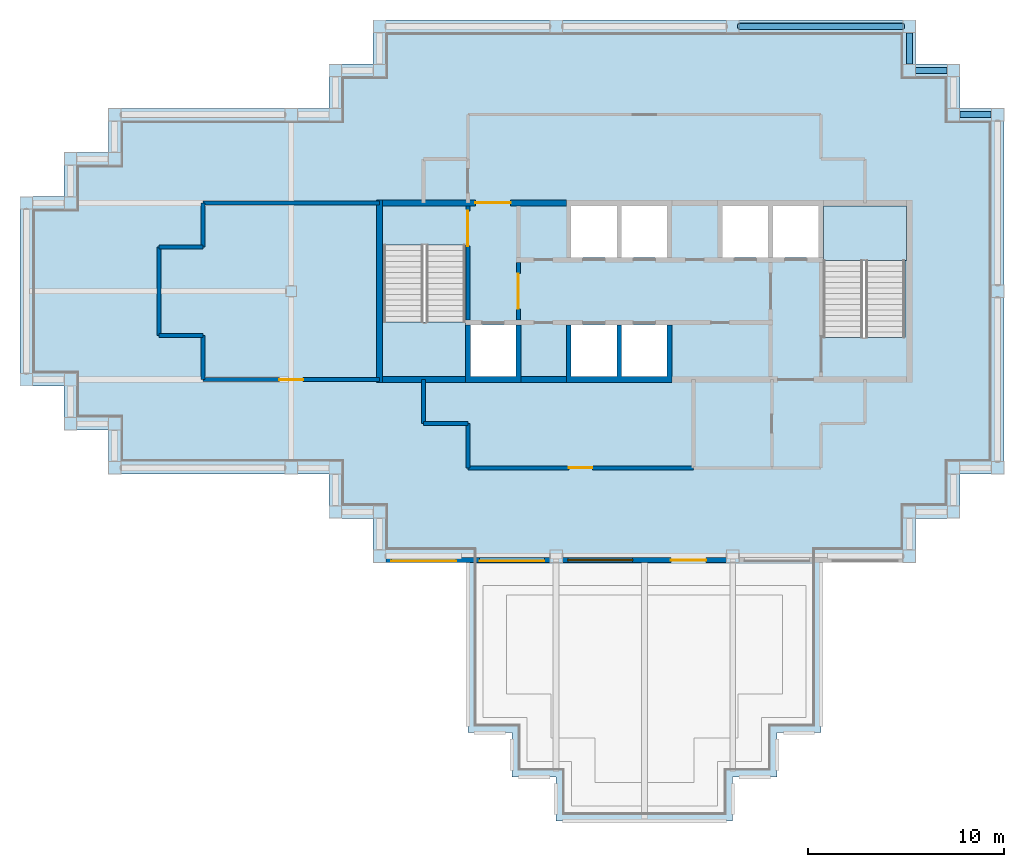
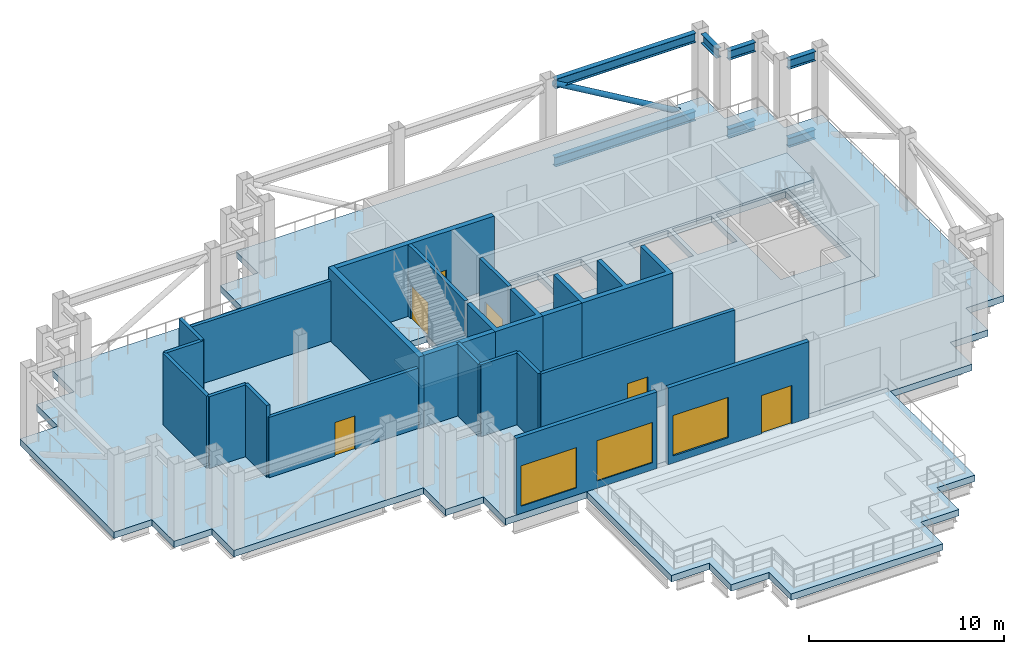
# One storey, part 2 of 10: 21 walls, 7 beams, 6 doors, 5 slabs, 3 windows, 1 member, 9 openings, 2 elements without a shape of their own.
"""IFC4 building model written with IfcOpenShell, lengths in metres."""

from ifc_helpers import new_model, si_unit, direction, frame, frame_2d, origin, origin_2d, place, context, subcontext, project, spatial, polyline, rectangle, hollow_circle, i_section, outline, extrude, material, layer, layer_set, material_profile, profile_set, type_object, element, fill, aggregate, save


model = new_model("IFC4")

# Units and contexts
model_context = context("Model", 3, precision=1e-05, world=origin(), true_north=direction((0.0, 1.0)))
body_context = subcontext(model_context, "Body", "Model", "MODEL_VIEW")
ifc_project = project(units=[si_unit("LENGTHUNIT", "METRE"), si_unit("AREAUNIT", "SQUARE_METRE"), si_unit("VOLUMEUNIT", "CUBIC_METRE"), si_unit("PLANEANGLEUNIT", "RADIAN"), si_unit("MASSUNIT", "GRAM", prefix="KILO")], contexts=[model_context])

# Site, building, storey
site_placement = place(None, origin())
site = spatial("IfcSite", under=ifc_project, at=site_placement, CompositionType="ELEMENT")
building_placement = place(site_placement, origin())
building = spatial("IfcBuilding", under=site, at=building_placement, Name="Caravel Reach Hotel and Residences", CompositionType="ELEMENT")
storey_placement = place(building_placement, frame((0.0, 0.0, 233.10009765625)))
storey = spatial("IfcBuildingStorey", under=building, at=storey_placement, Name="L59", CompositionType="ELEMENT", Elevation=233.10009765625)

# Beams
ifc_material_1 = material(Name="Structural steel Q355B", Category="steel")
ifc_material_profile_1 = material_profile(ifc_material_1, i_section(OverallWidth=0.300048828125, OverallDepth=0.587890625, WebThickness=0.011962890625, FlangeThickness=0.02001953125, FilletRadius=0.012939453125, at=origin_2d()), Name="HM 588x300x12x20")
ifc_profile_set_1 = profile_set([ifc_material_profile_1], Name="Structural steel Q355B")
beam_type = type_object("IfcBeamType", Name="Beam HM 588x300x12x20", PredefinedType="BEAM", material=ifc_profile_set_1)
for number, where, z_axis, x_axis, name in (
    (1, (49.175048828125, 36.0, -0.694091796875), (-1.0, 0.0, 0.0), (0.0, -1.0, 0.0), "Belt truss BT-L59 bottom chord"),
    (2, (49.175048828125, 36.0, 4.205810546875), (-1.0, 0.0, 0.0), (0.0, -1.0, 0.0), "Belt truss BT-L59 top chord"),
    (3, (46.925048828125, 38.25, -0.694091796875), (-1.0, 0.0, 0.0), (0.0, -1.0, 0.0), "Belt truss BT-L59 bottom chord"),
    (4, (46.925048828125, 38.25, 4.205810546875), (-1.0, 0.0, 0.0), (0.0, -1.0, 0.0), "Belt truss BT-L59 top chord"),
    (5, (45.0, 38.574951171875, 4.205810546875), (0.0, 1.0, 0.0), (-1.0, 0.0, 0.0), "Belt truss BT-L59 top chord"),
):
    element("IfcBeam", number, at=place(storey_placement, frame(where, z_axis=z_axis, x_axis=x_axis)), inside=storey, type_object=beam_type, Name=name, PredefinedType="BEAM", context=body_context, shape_type="SweptSolid", body=[
        extrude(i_section(OverallWidth=0.300048828125, OverallDepth=0.587890625, WebThickness=0.011962890625, FlangeThickness=0.02001953125, FilletRadius=0.012939453125, at=origin_2d()), origin(), (0.0, 0.0, 1.0), 1.60009765625),
    ])
for number, where, z_axis, x_axis, name in (
    (6, (44.675048828125, 40.5, -0.694091796875), (-1.0, 0.0, 0.0), (0.0, -1.0, 0.0), "Belt truss BT-L59 bottom chord"),
    (7, (44.675048828125, 40.5, 4.205810546875), (-1.0, 0.0, 0.0), (0.0, -1.0, 0.0), "Belt truss BT-L59 top chord"),
):
    element("IfcBeam", number, at=place(storey_placement, frame(where, z_axis=z_axis, x_axis=x_axis)), inside=storey, type_object=beam_type, Name=name, PredefinedType="BEAM", context=body_context, shape_type="SweptSolid", body=[
        extrude(i_section(OverallWidth=0.300048828125, OverallDepth=0.587890625, WebThickness=0.011962890625, FlangeThickness=0.02001953125, FilletRadius=0.012939453125, at=origin_2d()), origin(), (0.0, 0.0, 1.0), 8.35009765625),
    ])

# Member
ifc_material_2 = material(Name="Structural steel Q390B", Category="steel")
ifc_material_profile_2 = material_profile(ifc_material_2, hollow_circle(Radius=0.16259765625, WallThickness=0.011962890625, at=origin_2d()), Name="CHS 325x12")
ifc_profile_set_2 = profile_set([ifc_material_profile_2], Name="Structural steel Q390B")
member_type = type_object("IfcMemberType", Name="Brace CHS 325x12", PredefinedType="BRACE", material=ifc_profile_set_2)
member_placement = place(storey_placement, frame((44.675048828125, 40.5, -0.694091796875), z_axis=(-0.862471778893, 0.0, 0.506105157663), x_axis=(0.0, -1.0, 0.0)))
element("IfcMember", 8, at=member_placement, inside=storey, type_object=member_type, Name="Belt truss BT-L59 diagonal", PredefinedType="BRACE", context=body_context, shape_type="SweptSolid", body=[
    extrude(hollow_circle(Radius=0.16259765625, WallThickness=0.011962890625, at=origin_2d()), origin(), (0.0, 0.0, 1.0), 9.681640625),
])

# Slab
ifc_material_3 = material(Name="Concrete C40", Category="concrete")
ifc_layer_1 = layer(ifc_material_3, 0.39990234375)
ifc_layer_set_1 = layer_set([ifc_layer_1], Name="Core floor slab 400 mm")
slab_type_1 = type_object("IfcSlabType", Name="Core floor slab 400 mm", PredefinedType="FLOOR", material=ifc_layer_set_1)
slab_1_placement = place(storey_placement, frame((0.0, 0.0, -0.400146484375)))
element("IfcSlab", 9, at=slab_1_placement, inside=storey, type_object=slab_type_1, Name="L59 core floor", PredefinedType="FLOOR", context=body_context, shape_type="SweptSolid", body=[
    extrude(outline(polyline([(18.0, 31.5), (45.0, 31.5), (45.0, 22.5), (18.0, 22.5), (18.0, 31.5)]), holes=[polyline([(22.625, 25.27490234375), (22.625, 22.64990234375), (24.9462890625, 22.64990234375), (24.9462890625, 25.27490234375), (22.625, 25.27490234375)]), polyline([(27.767822265625, 25.27490234375), (27.767822265625, 22.64990234375), (30.08935546875, 22.64990234375), (30.08935546875, 25.27490234375), (27.767822265625, 25.27490234375)]), polyline([(30.33935546875, 25.27490234375), (30.33935546875, 22.64990234375), (32.66064453125, 22.64990234375), (32.66064453125, 25.27490234375), (30.33935546875, 25.27490234375)]), polyline([(22.375, 22.64990234375), (22.375, 29.35009765625), (18.22509765625, 29.35009765625), (18.22509765625, 22.64990234375), (22.375, 22.64990234375)]), polyline([(40.625, 31.35009765625), (40.625, 24.64990234375), (44.77490234375, 24.64990234375), (44.77490234375, 31.35009765625), (40.625, 31.35009765625)]), polyline([(27.767822265625, 31.35009765625), (27.767822265625, 28.72509765625), (30.08935546875, 28.72509765625), (30.08935546875, 31.35009765625), (27.767822265625, 31.35009765625)]), polyline([(30.33935546875, 31.35009765625), (30.33935546875, 28.72509765625), (32.66064453125, 28.72509765625), (32.66064453125, 31.35009765625), (30.33935546875, 31.35009765625)]), polyline([(37.8037109375, 31.35009765625), (35.482177734375, 31.35009765625), (35.482177734375, 28.72509765625), (37.8037109375, 28.72509765625), (37.8037109375, 31.35009765625)]), polyline([(40.375, 31.35009765625), (38.0537109375, 31.35009765625), (38.0537109375, 28.72509765625), (40.375, 28.72509765625), (40.375, 31.35009765625)])]), origin(), (0.0, 0.0, 1.0), 0.400146484375),
])

# Stair, slab
ifc_material_4 = material(Name="Concrete C40", Category="concrete")
stair_type = type_object("IfcStairType", Name="Core stair", PredefinedType="HALF_TURN_STAIR", material=ifc_material_4)
stair_1_placement = place(storey_placement, origin())
stair_1 = element("IfcStair", 10, at=stair_1_placement, inside=storey, type_object=stair_type, Name="L59 Exit stair A", PredefinedType="HALF_TURN_STAIR")
ifc_material_5 = material(Name="Concrete C40", Category="concrete")
ifc_layer_2 = layer(ifc_material_5, 0.199951171875)
ifc_layer_set_2 = layer_set([ifc_layer_2], Name="Core stair landing")
slab_type_2 = type_object("IfcSlabType", Name="Core stair landing", PredefinedType="LANDING", material=ifc_layer_set_2)
slab_2_placement = place(storey_placement, frame((0.0, 0.0, 2.199951171875)))
slab_2 = element("IfcSlab", 11, at=slab_2_placement, type_object=slab_type_2, Name="ST-A landing 1", PredefinedType="LANDING", context=body_context, shape_type="SweptSolid", body=[
    extrude(outline(polyline([(18.14990234375, 25.429931640625), (18.14990234375, 22.64990234375), (22.375, 22.64990234375), (22.375, 25.429931640625), (18.14990234375, 25.429931640625)])), origin(), (0.0, 0.0, 1.0), 0.199951171875),
])
aggregate(stair_1, [slab_2])

stair_2_placement = place(storey_placement, origin())
stair_2 = element("IfcStair", 12, at=stair_2_placement, inside=storey, type_object=stair_type, Name="L59 Exit stair B", PredefinedType="HALF_TURN_STAIR")
slab_3_placement = place(storey_placement, frame((0.0, 0.0, 2.199951171875)))
slab_3 = element("IfcSlab", 13, at=slab_3_placement, type_object=slab_type_2, Name="ST-B landing 1", PredefinedType="LANDING", context=body_context, shape_type="SweptSolid", body=[
    extrude(outline(polyline([(44.85009765625, 28.570068359375), (44.85009765625, 31.35009765625), (40.625, 31.35009765625), (40.625, 28.570068359375), (44.85009765625, 28.570068359375)])), origin(), (0.0, 0.0, 1.0), 0.199951171875),
])
aggregate(stair_2, [slab_3])

# Slabs
ifc_material_6 = material(Name="Concrete C40 post-tensioned", Category="concrete")
ifc_layer_3 = layer(ifc_material_6, 0.39990234375)
ifc_layer_set_3 = layer_set([ifc_layer_3], Name="Floor slab 400")
slab_type_3 = type_object("IfcSlabType", Name="Floor slab 400", PredefinedType="FLOOR", material=ifc_layer_set_3)
slab_4_placement = place(storey_placement, frame((0.0, 0.0, -0.400146484375)))
element("IfcSlab", 14, at=slab_4_placement, inside=storey, type_object=slab_type_3, Name="S4 slab L59", PredefinedType="FLOOR", context=body_context, shape_type="SweptSolid", body=[
    extrude(outline(polyline([(22.5, 13.175048828125), (17.675048828125, 13.175048828125), (17.675048828125, 15.425048828125), (15.425048828125, 15.425048828125), (15.425048828125, 17.675048828125), (4.175048828125, 17.675048828125), (4.175048828125, 19.925048828125), (1.925048828125, 19.925048828125), (1.925048828125, 22.175048828125), (-0.324951171875, 22.175048828125), (-0.324951171875, 31.824951171875), (1.925048828125, 31.824951171875), (1.925048828125, 34.074951171875), (4.175048828125, 34.074951171875), (4.175048828125, 36.324951171875), (15.425048828125, 36.324951171875), (15.425048828125, 38.574951171875), (17.675048828125, 38.574951171875), (17.675048828125, 40.824951171875), (45.324951171875, 40.824951171875), (45.324951171875, 38.574951171875), (47.574951171875, 38.574951171875), (47.574951171875, 36.324951171875), (49.824951171875, 36.324951171875), (49.824951171875, 17.675048828125), (47.574951171875, 17.675048828125), (47.574951171875, 15.425048828125), (45.324951171875, 15.425048828125), (45.324951171875, 13.175048828125), (40.5, 13.175048828125), (40.5, 13.5), (22.5, 13.5), (22.5, 13.175048828125)]), holes=[polyline([(45.0, 31.5), (18.0, 31.5), (18.0, 22.5), (45.0, 22.5), (45.0, 31.5)])]), origin(), (0.0, 0.0, 1.0), 0.400146484375),
])
ifc_material_7 = material(Name="Concrete C40", Category="concrete")
ifc_layer_4 = layer(ifc_material_7, 0.39990234375)
ifc_layer_set_4 = layer_set([ifc_layer_4], Name="Roof terrace slab 400")
slab_type_4 = type_object("IfcSlabType", Name="Roof terrace slab 400", PredefinedType="ROOF", material=ifc_layer_set_4)
slab_5_placement = place(storey_placement, frame((0.0, 0.0, -0.400146484375)))
element("IfcSlab", 15, at=slab_5_placement, inside=storey, type_object=slab_type_4, Name="terrace slab S", PredefinedType="ROOF", context=body_context, shape_type="SweptSolid", body=[
    extrude(outline(polyline([(40.5, 4.5), (38.25, 4.5), (38.25, 2.25), (36.0, 2.25), (36.0, 0.0), (27.0, 0.0), (27.0, 2.25), (24.75, 2.25), (24.75, 4.5), (22.5, 4.5), (22.5, 13.5), (40.5, 13.5), (40.5, 4.5)])), origin(), (0.0, 0.0, 1.0), 0.400146484375),
])

# Wall, opening, door
ifc_material_8 = material(Name="Autoclaved aerated block wall")
ifc_layer_5 = layer(ifc_material_8, 0.199951171875)
ifc_layer_set_5 = layer_set([ifc_layer_5], Name="Compartment wall 200 mm EI 120")
wall_type_1 = type_object("IfcWallType", Name="Compartment wall 200 mm EI 120", PredefinedType="PARTITIONING", material=ifc_layer_set_5)
wall_1_placement = place(storey_placement, frame((22.5, 18.0, 0.0), z_axis=(0.0, 0.0, 1.0), x_axis=(1.0, 0.0, 0.0)))
wall_1 = element("IfcWall", 16, at=wall_1_placement, inside=storey, type_object=wall_type_1, Name="L59 wall w012", PredefinedType="PARTITIONING", context=body_context, shape_type="SweptSolid", body=[
    extrude(rectangle(XDim=11.5, YDim=0.199951171875, at=frame_2d((5.75, 0.0))), origin(), (0.0, 0.0, 1.0), 4.5),
])
opening_1_placement = place(wall_1_placement, frame((5.14990234375, 0.0, 0.0)))
opening_1 = element("IfcOpeningElement", 17, at=opening_1_placement, cuts=wall_1, Name="Opening D59-018", PredefinedType="OPENING", context=body_context, shape_type="SweptSolid", body=[
    extrude(rectangle(XDim=1.199951171875, YDim=2.10009765625, at=frame_2d((0.60009765625, 1.050048828125))), frame((0.0, 0.10986328125, 0.0), z_axis=(0.0, -1.0, 0.0), x_axis=(1.0, 0.0, 0.0)), (0.0, 0.0, 1.0), 0.219970703125),
])
ifc_material_9 = material(Name="Steel fire door leaf", Category="steel")
door_type_1 = type_object("IfcDoorType", Name="Plant room door 1200 x 2100 EI 60", OperationType="SINGLE_SWING_LEFT", PredefinedType="DOOR", material=ifc_material_9)
door_1_placement = place(opening_1_placement, origin())
door_1 = element("IfcDoor", 18, at=door_1_placement, inside=storey, type_object=door_type_1, Name="door D59-018", OperationType="SINGLE_SWING_RIGHT", OverallHeight=2.10009765625, OverallWidth=1.199951171875, PredefinedType="DOOR", context=body_context, shape_type="SweptSolid", body=[
    extrude(rectangle(XDim=1.199951171875, YDim=2.10009765625, at=frame_2d((0.60009765625, 1.050048828125))), frame((0.0, 0.02490234375, 0.0), z_axis=(0.0, -1.0, 0.0), x_axis=(1.0, 0.0, 0.0)), (0.0, 0.0, 1.0), 0.050048828125),
])
fill(opening_1, door_1)

# Wall
wall_2_placement = place(storey_placement, frame((20.25, 20.25, 0.0), z_axis=(0.0, 0.0, 1.0), x_axis=(1.0, 0.0, 0.0)))
element("IfcWall", 19, at=wall_2_placement, inside=storey, type_object=wall_type_1, Name="L59 wall w013", PredefinedType="PARTITIONING", context=body_context, shape_type="SweptSolid", body=[
    extrude(rectangle(XDim=2.25, YDim=0.199951171875, at=frame_2d((1.125, 0.0))), origin(), (0.0, 0.0, 1.0), 4.5),
])

# Wall, opening, door
wall_3_placement = place(storey_placement, frame((9.0, 22.5, 0.0), z_axis=(0.0, 0.0, 1.0), x_axis=(1.0, 0.0, 0.0)))
wall_3 = element("IfcWall", 20, at=wall_3_placement, inside=storey, type_object=wall_type_1, Name="L59 wall w014", PredefinedType="PARTITIONING", context=body_context, shape_type="SweptSolid", body=[
    extrude(rectangle(XDim=9.0, YDim=0.199951171875, at=frame_2d((4.5, 0.0))), origin(), (0.0, 0.0, 1.0), 3.77978515625),
])
opening_2_placement = place(wall_3_placement, frame((3.89990234375, 0.0, 0.0)))
opening_2 = element("IfcOpeningElement", 21, at=opening_2_placement, cuts=wall_3, Name="Opening D59-021", PredefinedType="OPENING", context=body_context, shape_type="SweptSolid", body=[
    extrude(rectangle(XDim=1.199951171875, YDim=2.10009765625, at=frame_2d((0.60009765625, 1.050048828125))), frame((0.0, 0.10986328125, 0.0), z_axis=(0.0, -1.0, 0.0), x_axis=(1.0, 0.0, 0.0)), (0.0, 0.0, 1.0), 0.219970703125),
])
door_2_placement = place(opening_2_placement, origin())
door_2 = element("IfcDoor", 22, at=door_2_placement, inside=storey, type_object=door_type_1, Name="door D59-021", OperationType="SINGLE_SWING_LEFT", OverallHeight=2.10009765625, OverallWidth=1.199951171875, PredefinedType="DOOR", context=body_context, shape_type="SweptSolid", body=[
    extrude(rectangle(XDim=1.199951171875, YDim=2.10009765625, at=frame_2d((0.60009765625, 1.050048828125))), frame((0.0, 0.02490234375, 0.0), z_axis=(0.0, -1.0, 0.0), x_axis=(1.0, 0.0, 0.0)), (0.0, 0.0, 1.0), 0.050048828125),
])
fill(opening_2, door_2)

# Walls
for number, where, z_axis, x_axis, name in (
    (23, (6.75, 24.75, 0.0), (0.0, 0.0, 1.0), (1.0, 0.0, 0.0), "L59 wall w015"),
    (24, (6.75, 29.25, 0.0), (0.0, 0.0, 1.0), (1.0, 0.0, 0.0), "L59 wall w016"),
):
    element("IfcWall", number, at=place(storey_placement, frame(where, z_axis=z_axis, x_axis=x_axis)), inside=storey, type_object=wall_type_1, Name=name, PredefinedType="PARTITIONING", context=body_context, shape_type="SweptSolid", body=[
        extrude(rectangle(XDim=2.25, YDim=0.199951171875, at=frame_2d((1.125, 0.0))), origin(), (0.0, 0.0, 1.0), 4.5),
    ])
wall_4_placement = place(storey_placement, frame((9.0, 31.5, 0.0), z_axis=(0.0, 0.0, 1.0), x_axis=(1.0, 0.0, 0.0)))
element("IfcWall", 25, at=wall_4_placement, inside=storey, type_object=wall_type_1, Name="L59 wall w017", PredefinedType="PARTITIONING", context=body_context, shape_type="SweptSolid", body=[
    extrude(rectangle(XDim=9.0, YDim=0.199951171875, at=frame_2d((4.5, 0.0))), origin(), (0.0, 0.0, 1.0), 3.77978515625),
])
for number, where, z_axis, x_axis, name in (
    (26, (20.25, 20.25, 0.0), (0.0, 0.0, 1.0), (0.0, 1.0, 0.0), "L59 wall w019"),
    (27, (22.5, 18.0, 0.0), (0.0, 0.0, 1.0), (0.0, 1.0, 0.0), "L59 wall w021"),
):
    element("IfcWall", number, at=place(storey_placement, frame(where, z_axis=z_axis, x_axis=x_axis)), inside=storey, type_object=wall_type_1, Name=name, PredefinedType="PARTITIONING", context=body_context, shape_type="SweptSolid", body=[
        extrude(rectangle(XDim=2.25, YDim=0.199951171875, at=frame_2d((1.125, 0.0))), origin(), (0.0, 0.0, 1.0), 4.5),
    ])
wall_5_placement = place(storey_placement, frame((6.75, 24.75, 0.0), z_axis=(0.0, 0.0, 1.0), x_axis=(0.0, 1.0, 0.0)))
element("IfcWall", 28, at=wall_5_placement, inside=storey, type_object=wall_type_1, Name="L59 wall w024", PredefinedType="PARTITIONING", context=body_context, shape_type="SweptSolid", body=[
    extrude(rectangle(XDim=4.5, YDim=0.199951171875, at=frame_2d((2.25, 0.0))), origin(), (0.0, 0.0, 1.0), 4.5),
])
for number, where, z_axis, x_axis, name in (
    (29, (9.0, 22.5, 0.0), (0.0, 0.0, 1.0), (0.0, 1.0, 0.0), "L59 wall w025"),
    (30, (9.0, 29.25, 0.0), (0.0, 0.0, 1.0), (0.0, 1.0, 0.0), "L59 wall w026"),
):
    element("IfcWall", number, at=place(storey_placement, frame(where, z_axis=z_axis, x_axis=x_axis)), inside=storey, type_object=wall_type_1, Name=name, PredefinedType="PARTITIONING", context=body_context, shape_type="SweptSolid", body=[
        extrude(rectangle(XDim=2.25, YDim=0.199951171875, at=frame_2d((1.125, 0.0))), origin(), (0.0, 0.0, 1.0), 4.5),
    ])
ifc_material_10 = material(Name="Concrete C60", Category="concrete")
ifc_layer_6 = layer(ifc_material_10, 0.300048828125)
ifc_layer_set_6 = layer_set([ifc_layer_6], Name="Core wall 300 mm EI 120")
wall_type_2 = type_object("IfcWallType", Name="Core wall 300 mm EI 120", PredefinedType="SHEAR", material=ifc_layer_set_6)
wall_6_placement = place(storey_placement, frame((18.14990234375, 22.5, 0.0), z_axis=(0.0, 0.0, 1.0), x_axis=(1.0, 0.0, 0.0)))
element("IfcWall", 31, at=wall_6_placement, inside=storey, type_object=wall_type_2, Name="L59 core wall S1", PredefinedType="SHEAR", context=body_context, shape_type="SweptSolid", body=[
    extrude(rectangle(XDim=4.22509765625, YDim=0.300048828125, at=frame_2d((2.112548828125, 0.0))), origin(), (0.0, 0.0, 1.0), 4.5),
])
wall_7_placement = place(storey_placement, frame((25.196533203125, 22.5, 0.0), z_axis=(0.0, 0.0, 1.0), x_axis=(1.0, 0.0, 0.0)))
element("IfcWall", 32, at=wall_7_placement, inside=storey, type_object=wall_type_2, Name="L59 core wall S2", PredefinedType="SHEAR", context=body_context, shape_type="SweptSolid", body=[
    extrude(rectangle(XDim=2.3212890625, YDim=0.300048828125, at=frame_2d((1.16064453125, 0.0))), origin(), (0.0, 0.0, 1.0), 4.5),
])

# Wall, opening, door
wall_8_placement = place(storey_placement, frame((18.14990234375, 31.5, 0.0), z_axis=(0.0, 0.0, 1.0), x_axis=(1.0, 0.0, 0.0)))
wall_8 = element("IfcWall", 33, at=wall_8_placement, inside=storey, type_object=wall_type_2, Name="L59 core wall N1", PredefinedType="SHEAR", context=body_context, shape_type="SweptSolid", body=[
    extrude(rectangle(XDim=9.367919921875, YDim=0.300048828125, at=frame_2d((4.68408203125, 0.0))), origin(), (0.0, 0.0, 1.0), 4.5),
])
opening_3_placement = place(wall_8_placement, frame((4.735595703125, 0.0, 0.0)))
opening_3 = element("IfcOpeningElement", 34, at=opening_3_placement, cuts=wall_8, Name="Opening D59-016", PredefinedType="OPENING", context=body_context, shape_type="SweptSolid", body=[
    extrude(rectangle(XDim=1.800048828125, YDim=2.10009765625, at=frame_2d((0.89990234375, 1.050048828125))), frame((0.0, 0.159912109375, 0.0), z_axis=(0.0, -1.0, 0.0), x_axis=(1.0, 0.0, 0.0)), (0.0, 0.0, 1.0), 0.320068359375),
])
ifc_material_11 = material(Name="Steel fire door leaf", Category="steel")
door_type_2 = type_object("IfcDoorType", Name="Fire lobby door pair 1800 x 2100 EI 90", OperationType="DOUBLE_DOOR_SINGLE_SWING", PredefinedType="DOOR", material=ifc_material_11)
door_3_placement = place(opening_3_placement, origin())
door_3 = element("IfcDoor", 35, at=door_3_placement, inside=storey, type_object=door_type_2, Name="lobby N door pair to corridor", OperationType="DOUBLE_DOOR_SINGLE_SWING", OverallHeight=2.10009765625, OverallWidth=1.800048828125, PredefinedType="DOOR", context=body_context, shape_type="SweptSolid", body=[
    extrude(rectangle(XDim=1.800048828125, YDim=2.10009765625, at=frame_2d((0.89990234375, 1.050048828125))), frame((0.0, 0.02490234375, 0.0), z_axis=(0.0, -1.0, 0.0), x_axis=(1.0, 0.0, 0.0)), (0.0, 0.0, 1.0), 0.050048828125),
])
fill(opening_3, door_3)

# Wall
wall_9_placement = place(storey_placement, frame((18.0, 22.35009765625, 0.0), z_axis=(0.0, 0.0, 1.0), x_axis=(0.0, 1.0, 0.0)))
element("IfcWall", 36, at=wall_9_placement, inside=storey, type_object=wall_type_2, Name="L59 core wall W", PredefinedType="SHEAR", context=body_context, shape_type="SweptSolid", body=[
    extrude(rectangle(XDim=9.2998046875, YDim=0.300048828125, at=frame_2d((4.64990234375, 0.0))), origin(), (0.0, 0.0, 1.0), 4.5),
])

# Wall, openings, windows
ifc_material_12 = material(Name="Insulated rainscreen wall, aluminium cladding", Category="aluminium")
ifc_layer_7 = layer(ifc_material_12, 0.25)
ifc_layer_set_7 = layer_set([ifc_layer_7], Name="EW1 Tower rainscreen wall")
wall_type_3 = type_object("IfcWallType", Name="EW1 Tower rainscreen wall", PredefinedType="SOLIDWALL", material=ifc_layer_set_7)
wall_10_placement = place(storey_placement, frame((18.324951171875, 13.300048828125, 0.0), z_axis=(0.0, 0.0, 1.0), x_axis=(1.0, 0.0, 0.0)))
wall_10 = element("IfcWall", 37, at=wall_10_placement, inside=storey, type_object=wall_type_3, Name="External wall L59 S4.1", PredefinedType="SOLIDWALL", context=body_context, shape_type="SweptSolid", body=[
    extrude(rectangle(XDim=8.35009765625, YDim=0.25, at=frame_2d((4.175048828125, 0.0))), origin(), (0.0, 0.0, 1.0), 4.7998046875),
])
opening_4_placement = place(wall_10_placement, frame((0.27490234375, 0.0, 0.449951171875)))
opening_4 = element("IfcOpeningElement", 38, at=opening_4_placement, cuts=wall_10, Name="Opening WN29", PredefinedType="OPENING", context=body_context, shape_type="SweptSolid", body=[
    extrude(rectangle(XDim=3.300048828125, YDim=2.530029296875, at=frame_2d((1.64990234375, 1.26513671875))), frame((0.0, 0.135009765625, 0.0), z_axis=(0.0, -1.0, 0.0), x_axis=(1.0, 0.0, 0.0)), (0.0, 0.0, 1.0), 0.27001953125),
])
opening_5_placement = place(wall_10_placement, frame((4.77490234375, 0.0, 0.449951171875)))
opening_5 = element("IfcOpeningElement", 39, at=opening_5_placement, cuts=wall_10, Name="Opening WN29", PredefinedType="OPENING", context=body_context, shape_type="SweptSolid", body=[
    extrude(rectangle(XDim=3.300048828125, YDim=2.530029296875, at=frame_2d((1.64990234375, 1.26513671875))), frame((0.0, 0.135009765625, 0.0), z_axis=(0.0, -1.0, 0.0), x_axis=(1.0, 0.0, 0.0)), (0.0, 0.0, 1.0), 0.27001953125),
])
ifc_material_13 = material(Name="Dark low-e glazing in black aluminium frame", Category="aluminium")
window_type = type_object("IfcWindowType", Name="Refuge lounge window 3300 x 2530", PartitioningType="SINGLE_PANEL", PredefinedType="WINDOW", material=ifc_material_13)
window_1_placement = place(opening_4_placement, origin())
window_1 = element("IfcWindow", 40, at=window_1_placement, inside=storey, type_object=window_type, Name="Window L59 S4.1.1", OverallHeight=2.530029296875, OverallWidth=3.300048828125, PartitioningType="SINGLE_PANEL", PredefinedType="WINDOW", context=body_context, shape_type="SweptSolid", body=[
    extrude(rectangle(XDim=3.300048828125, YDim=2.530029296875, at=frame_2d((1.64990234375, 1.26513671875))), frame((0.0, -0.03173828125, 0.0), z_axis=(0.0, -1.0, 0.0), x_axis=(1.0, 0.0, 0.0)), (0.0, 0.0, 1.0), 0.030029296875),
])
fill(opening_4, window_1)
window_2_placement = place(opening_5_placement, origin())
window_2 = element("IfcWindow", 41, at=window_2_placement, inside=storey, type_object=window_type, Name="Window L59 S4.1.2", OverallHeight=2.530029296875, OverallWidth=3.300048828125, PartitioningType="SINGLE_PANEL", PredefinedType="WINDOW", context=body_context, shape_type="SweptSolid", body=[
    extrude(rectangle(XDim=3.300048828125, YDim=2.530029296875, at=frame_2d((1.64990234375, 1.26513671875))), frame((0.0, -0.03173828125, 0.0), z_axis=(0.0, -1.0, 0.0), x_axis=(1.0, 0.0, 0.0)), (0.0, 0.0, 1.0), 0.030029296875),
])
fill(opening_5, window_2)

# Wall, openings, window, door
wall_11_placement = place(storey_placement, frame((27.324951171875, 13.300048828125, 0.0), z_axis=(0.0, 0.0, 1.0), x_axis=(1.0, 0.0, 0.0)))
wall_11 = element("IfcWall", 42, at=wall_11_placement, inside=storey, type_object=wall_type_3, Name="External wall L59 S4.2", PredefinedType="SOLIDWALL", context=body_context, shape_type="SweptSolid", body=[
    extrude(rectangle(XDim=8.35009765625, YDim=0.25, at=frame_2d((4.175048828125, 0.0))), origin(), (0.0, 0.0, 1.0), 4.7998046875),
])
opening_6_placement = place(wall_11_placement, frame((0.27490234375, 0.0, 0.449951171875)))
opening_6 = element("IfcOpeningElement", 43, at=opening_6_placement, cuts=wall_11, Name="Opening WN29", PredefinedType="OPENING", context=body_context, shape_type="SweptSolid", body=[
    extrude(rectangle(XDim=3.300048828125, YDim=2.530029296875, at=frame_2d((1.64990234375, 1.26513671875))), frame((0.0, 0.135009765625, 0.0), z_axis=(0.0, -1.0, 0.0), x_axis=(1.0, 0.0, 0.0)), (0.0, 0.0, 1.0), 0.27001953125),
])
opening_7_placement = place(wall_11_placement, frame((5.52490234375, 0.0, 0.0)))
opening_7 = element("IfcOpeningElement", 44, at=opening_7_placement, cuts=wall_11, Name="Opening D59-813", PredefinedType="OPENING", context=body_context, shape_type="SweptSolid", body=[
    extrude(rectangle(XDim=1.800048828125, YDim=2.39990234375, at=frame_2d((0.89990234375, 1.199951171875))), frame((0.0, 0.135009765625, 0.0), z_axis=(0.0, -1.0, 0.0), x_axis=(1.0, 0.0, 0.0)), (0.0, 0.0, 1.0), 0.27001953125),
])
window_3_placement = place(opening_6_placement, origin())
window_3 = element("IfcWindow", 45, at=window_3_placement, inside=storey, type_object=window_type, Name="Window L59 S4.2.1", OverallHeight=2.530029296875, OverallWidth=3.300048828125, PartitioningType="SINGLE_PANEL", PredefinedType="WINDOW", context=body_context, shape_type="SweptSolid", body=[
    extrude(rectangle(XDim=3.300048828125, YDim=2.530029296875, at=frame_2d((1.64990234375, 1.26513671875))), frame((0.0, 0.030029296875, 0.0), z_axis=(0.0, -1.0, 0.0), x_axis=(1.0, 0.0, 0.0)), (0.0, 0.0, 1.0), 0.06005859375),
])
fill(opening_6, window_3)
ifc_material_14 = material(Name="Dark glazed door in black aluminium frame", Category="aluminium")
door_type_3 = type_object("IfcDoorType", Name="Terrace door 1800 x 2400", OperationType="DOUBLE_DOOR_SINGLE_SWING", PredefinedType="DOOR", material=ifc_material_14)
door_4_placement = place(opening_7_placement, origin())
door_4 = element("IfcDoor", 46, at=door_4_placement, inside=storey, type_object=door_type_3, Name="Door D59-813", OperationType="DOUBLE_DOOR_SINGLE_SWING", OverallHeight=2.39990234375, OverallWidth=1.800048828125, PredefinedType="DOOR", context=body_context, shape_type="SweptSolid", body=[
    extrude(rectangle(XDim=1.800048828125, YDim=2.39990234375, at=frame_2d((0.89990234375, 1.199951171875))), frame((0.0, 0.02490234375, 0.0), z_axis=(0.0, -1.0, 0.0), x_axis=(1.0, 0.0, 0.0)), (0.0, 0.0, 1.0), 0.050048828125),
])
fill(opening_7, door_4)

# Wall, opening, door
ifc_material_15 = material(Name="Autoclaved aerated block wall")
ifc_layer_8 = layer(ifc_material_15, 0.199951171875)
ifc_layer_set_8 = layer_set([ifc_layer_8], Name="Fire lobby wall 200 mm EI 120")
wall_type_4 = type_object("IfcWallType", Name="Fire lobby wall 200 mm EI 120", PredefinedType="PARTITIONING", material=ifc_layer_set_8)
wall_12_placement = place(storey_placement, frame((25.071533203125, 25.52490234375, 0.0), z_axis=(0.0, 0.0, 1.0), x_axis=(0.0, 1.0, 0.0)))
wall_12 = element("IfcWall", 47, at=wall_12_placement, inside=storey, type_object=wall_type_4, Name="L59 lobby W wall", PredefinedType="PARTITIONING", context=body_context, shape_type="SweptSolid", body=[
    extrude(rectangle(XDim=2.9501953125, YDim=0.199951171875, at=frame_2d((1.47509765625, 0.0))), origin(), (0.0, 0.0, 1.0), 4.5),
])
opening_8_placement = place(wall_12_placement, frame((0.574951171875, 0.0, 0.0)))
opening_8 = element("IfcOpeningElement", 48, at=opening_8_placement, cuts=wall_12, Name="Opening D59-014", PredefinedType="OPENING", context=body_context, shape_type="SweptSolid", body=[
    extrude(rectangle(XDim=1.800048828125, YDim=2.10009765625, at=frame_2d((0.89990234375, 1.050048828125))), frame((0.0, 0.10986328125, 0.0), z_axis=(0.0, -1.0, 0.0), x_axis=(1.0, 0.0, 0.0)), (0.0, 0.0, 1.0), 0.219970703125),
])
door_5_placement = place(opening_8_placement, origin())
door_5 = element("IfcDoor", 49, at=door_5_placement, inside=storey, type_object=door_type_2, Name="lobby W door pair", OperationType="DOUBLE_DOOR_SINGLE_SWING", OverallHeight=2.10009765625, OverallWidth=1.800048828125, PredefinedType="DOOR", context=body_context, shape_type="SweptSolid", body=[
    extrude(rectangle(XDim=1.800048828125, YDim=2.10009765625, at=frame_2d((0.89990234375, 1.050048828125))), frame((0.0, 0.02490234375, 0.0), z_axis=(0.0, -1.0, 0.0), x_axis=(1.0, 0.0, 0.0)), (0.0, 0.0, 1.0), 0.050048828125),
])
fill(opening_8, door_5)

# Walls
ifc_material_16 = material(Name="Concrete C60", Category="concrete")
ifc_layer_9 = layer(ifc_material_16, 0.25)
ifc_layer_set_9 = layer_set([ifc_layer_9], Name="Shaft wall 250 mm EI 120")
wall_type_5 = type_object("IfcWallType", Name="Shaft wall 250 mm EI 120", PredefinedType="SHEAR", material=ifc_layer_set_9)
wall_13_placement = place(storey_placement, origin())
element("IfcWall", 50, at=wall_13_placement, inside=storey, type_object=wall_type_5, Name="L59 lift shaft wall S1", PredefinedType="SHEAR", context=body_context, shape_type="SweptSolid", body=[
    extrude(outline(polyline([(22.375, 22.35009765625), (25.196533203125, 22.35009765625), (25.196533203125, 25.27490234375), (24.946533203125, 25.27490234375), (24.946533203125, 22.64990234375), (22.625, 22.64990234375), (22.625, 25.27490234375), (22.375, 25.27490234375), (22.375, 22.35009765625)])), origin(), (0.0, 0.0, 1.0), 4.5),
])
wall_14_placement = place(storey_placement, origin())
element("IfcWall", 51, at=wall_14_placement, inside=storey, type_object=wall_type_5, Name="L59 lift shaft wall S2", PredefinedType="SHEAR", context=body_context, shape_type="SweptSolid", body=[
    extrude(outline(polyline([(27.517822265625, 22.35009765625), (32.91064453125, 22.35009765625), (32.91064453125, 25.27490234375), (32.66064453125, 25.27490234375), (32.66064453125, 22.64990234375), (30.33935546875, 22.64990234375), (30.33935546875, 25.27490234375), (30.08935546875, 25.27490234375), (30.08935546875, 22.64990234375), (27.767822265625, 22.64990234375), (27.767822265625, 25.27490234375), (27.517822265625, 25.27490234375), (27.517822265625, 22.35009765625)])), origin(), (0.0, 0.0, 1.0), 4.5),
])

# Wall, opening, door
ifc_material_17 = material(Name="Concrete C60", Category="concrete")
ifc_layer_10 = layer(ifc_material_17, 0.199951171875)
ifc_layer_set_10 = layer_set([ifc_layer_10], Name="Stair enclosure wall 200 mm EI 120")
wall_type_6 = type_object("IfcWallType", Name="Stair enclosure wall 200 mm EI 120", PredefinedType="SHEAR", material=ifc_layer_set_10)
wall_15_placement = place(storey_placement, frame((22.5, 31.35009765625, 0.0), z_axis=(0.0, 0.0, 1.0), x_axis=(0.0, -1.0, 0.0)))
wall_15 = element("IfcWall", 52, at=wall_15_placement, inside=storey, type_object=wall_type_6, Name="L59 stair A wall", PredefinedType="SHEAR", context=body_context, shape_type="SweptSolid", body=[
    extrude(rectangle(XDim=5.8251953125, YDim=0.199951171875, at=frame_2d((2.91259765625, 0.0))), origin(), (0.0, 0.0, 1.0), 4.5),
])
opening_9_placement = place(wall_15_placement, frame((0.25, 0.0, 0.0)))
opening_9 = element("IfcOpeningElement", 53, at=opening_9_placement, cuts=wall_15, Name="Opening D59-012", PredefinedType="OPENING", context=body_context, shape_type="SweptSolid", body=[
    extrude(rectangle(XDim=1.800048828125, YDim=2.10009765625, at=frame_2d((0.89990234375, 1.050048828125))), frame((0.0, 0.10986328125, 0.0), z_axis=(0.0, -1.0, 0.0), x_axis=(1.0, 0.0, 0.0)), (0.0, 0.0, 1.0), 0.219970703125),
])
ifc_material_18 = material(Name="Steel fire door leaf", Category="steel")
door_type_4 = type_object("IfcDoorType", Name="Stair door pair 1800 x 2100 EI 90", OperationType="DOUBLE_DOOR_SINGLE_SWING", PredefinedType="DOOR", material=ifc_material_18)
door_6_placement = place(opening_9_placement, origin())
door_6 = element("IfcDoor", 54, at=door_6_placement, inside=storey, type_object=door_type_4, Name="stair A door pair", OperationType="DOUBLE_DOOR_SINGLE_SWING", OverallHeight=2.10009765625, OverallWidth=1.800048828125, PredefinedType="DOOR", context=body_context, shape_type="SweptSolid", body=[
    extrude(rectangle(XDim=1.800048828125, YDim=2.10009765625, at=frame_2d((0.89990234375, 1.050048828125))), frame((0.0, 0.02490234375, 0.0), z_axis=(0.0, -1.0, 0.0), x_axis=(1.0, 0.0, 0.0)), (0.0, 0.0, 1.0), 0.050048828125),
])
fill(opening_9, door_6)

save(model, "model.ifc")
